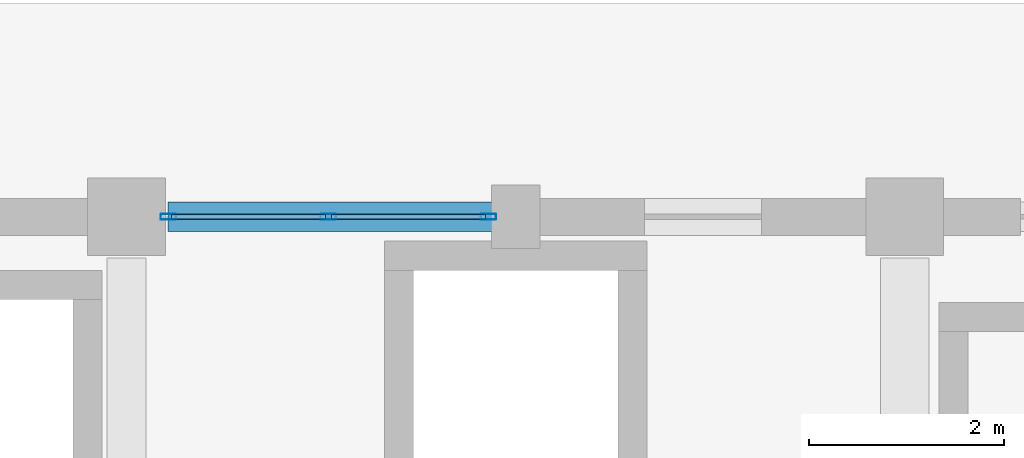
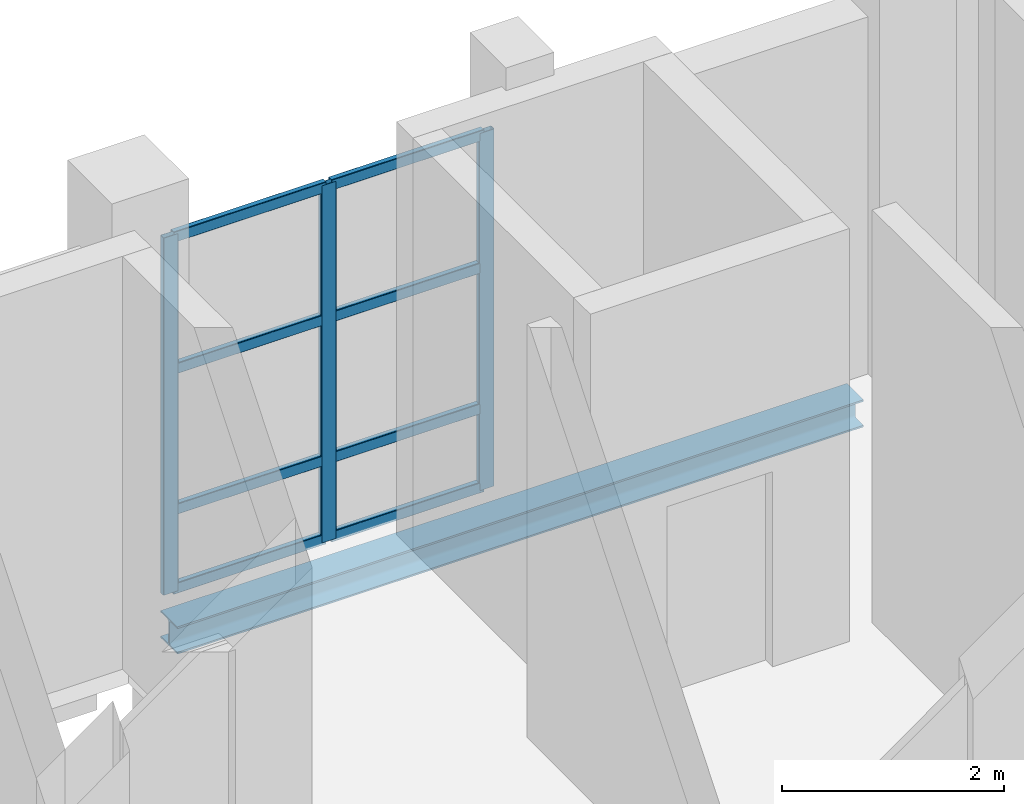
# One storey, part 100 of 156: 11 members, 1 beam, 1 element without a shape of its own.
"""IFC4 building model written with IfcOpenShell, lengths in metres."""

from ifc_helpers import new_model, si_unit, direction, frame, origin, origin_2d, place, context, subcontext, project, spatial, hollow_rectangle, i_section, extrude, material, material_profile, profile_set, type_object, element, aggregate, save


model = new_model("IFC4")

# Units and contexts
model_context = context("Model", 3, precision=1e-05, world=origin(), true_north=direction((0.0, 1.0)))
body_context = subcontext(model_context, "Body", "Model", "MODEL_VIEW")
ifc_project = project(units=[si_unit("LENGTHUNIT", "METRE"), si_unit("AREAUNIT", "SQUARE_METRE"), si_unit("VOLUMEUNIT", "CUBIC_METRE"), si_unit("PLANEANGLEUNIT", "RADIAN"), si_unit("MASSUNIT", "GRAM", prefix="KILO")], contexts=[model_context])

# Site, building, storey
site_placement = place(None, origin())
site = spatial("IfcSite", under=ifc_project, at=site_placement, CompositionType="ELEMENT")
building_placement = place(site_placement, origin())
building = spatial("IfcBuilding", under=site, at=building_placement, Name="Luwemba Playhouse", CompositionType="ELEMENT")
storey_placement = place(building_placement, origin())
storey = spatial("IfcBuildingStorey", under=building, at=storey_placement, Name="L00", CompositionType="ELEMENT", Elevation=0.0)

# Beam
ifc_material_1 = material(Name="Steel S355", Category="steel")
ifc_material_profile_1 = material_profile(ifc_material_1, i_section(OverallWidth=0.300048828125, OverallDepth=0.300048828125, WebThickness=0.010986328125, FlangeThickness=0.01904296875, FilletRadius=0.027099609375, at=origin_2d()))
ifc_profile_set_1 = profile_set([ifc_material_profile_1], Name="Steel S355")
beam_type = type_object("IfcBeamType", Name="BM-SSP1", PredefinedType="SPANDREL", material=ifc_profile_set_1)
beam_placement = place(storey_placement, frame((156.425048828125, 115.0, -0.449951171875), z_axis=(1.0, 0.0, 0.0), x_axis=(0.0, 1.0, 0.0)))
element("IfcBeam", 1, at=beam_placement, inside=storey, type_object=beam_type, Name="L00 grid girder 0319", PredefinedType="SPANDREL", context=body_context, shape_type="SweptSolid", body=[
    extrude(i_section(OverallWidth=0.300048828125, OverallDepth=0.300048828125, WebThickness=0.010986328125, FlangeThickness=0.01904296875, FilletRadius=0.027099609375, at=origin_2d()), origin(), (0.0, 0.0, 1.0), 7.14990234375),
])

# Curtain wall, members
ifc_material_2 = material(Name="Solar-control double glazing", Category="glass")
curtain_wall_type = type_object("IfcCurtainWallType", Name="CW-CW68", PredefinedType="USERDEFINED", material=ifc_material_2)
curtain_wall_placement = place(storey_placement, origin())
curtain_wall = element("IfcCurtainWall", 2, at=curtain_wall_placement, inside=storey, type_object=curtain_wall_type, Name="L00 V6E unitised curtain wall 087", ObjectType="UNITISED GLAZING", PredefinedType="USERDEFINED")
ifc_material_3 = material(Name="Aluminium 6063-T6", Category="aluminium")
ifc_material_profile_2 = material_profile(ifc_material_3, hollow_rectangle(XDim=0.06005859375, YDim=0.159912109375, WallThickness=0.00390625, InnerFilletRadius=0.006103515625, OuterFilletRadius=0.010009765625, at=origin_2d()))
ifc_profile_set_2 = profile_set([ifc_material_profile_2], Name="Aluminium 6063-T6")
member_type_1 = type_object("IfcMemberType", Name="CWM-M1", PredefinedType="MULLION", material=ifc_profile_set_2)
member_1_placement = place(storey_placement, frame((156.429931640625, 115.0, 0.0), z_axis=(0.0, 0.0, 1.0), x_axis=(0.0, 1.0, 0.0)))
member_1 = element("IfcMember", 3, at=member_1_placement, type_object=member_type_1, Name="CW68 mullion 1", PredefinedType="MULLION", context=body_context, shape_type="SweptSolid", body=[
    extrude(hollow_rectangle(XDim=0.06005859375, YDim=0.159912109375, WallThickness=0.00390625, InnerFilletRadius=0.006103515625, OuterFilletRadius=0.010009765625, at=origin_2d()), origin(), (0.0, 0.0, 1.0), 3.93505859375),
])
member_2_placement = place(storey_placement, frame((158.074951171875, 115.0, 0.0), z_axis=(0.0, 0.0, 1.0), x_axis=(0.0, 1.0, 0.0)))
member_2 = element("IfcMember", 4, at=member_2_placement, type_object=member_type_1, Name="CW68 mullion 2", PredefinedType="MULLION", context=body_context, shape_type="SweptSolid", body=[
    extrude(hollow_rectangle(XDim=0.06005859375, YDim=0.159912109375, WallThickness=0.00390625, InnerFilletRadius=0.006103515625, OuterFilletRadius=0.010009765625, at=origin_2d()), origin(), (0.0, 0.0, 1.0), 3.93505859375),
])
member_3_placement = place(storey_placement, frame((159.719970703125, 115.0, 0.0), z_axis=(0.0, 0.0, 1.0), x_axis=(0.0, 1.0, 0.0)))
member_3 = element("IfcMember", 5, at=member_3_placement, type_object=member_type_1, Name="CW68 mullion 3", PredefinedType="MULLION", context=body_context, shape_type="SweptSolid", body=[
    extrude(hollow_rectangle(XDim=0.06005859375, YDim=0.159912109375, WallThickness=0.00390625, InnerFilletRadius=0.006103515625, OuterFilletRadius=0.010009765625, at=origin_2d()), origin(), (0.0, 0.0, 1.0), 3.93505859375),
])
ifc_material_profile_3 = material_profile(ifc_material_3, hollow_rectangle(XDim=0.06005859375, YDim=0.1201171875, WallThickness=0.00390625, InnerFilletRadius=0.006103515625, OuterFilletRadius=0.010009765625, at=origin_2d()))
ifc_profile_set_3 = profile_set([ifc_material_profile_3], Name="Aluminium 6063-T6")
member_type_2 = type_object("IfcMemberType", Name="CWT-T1", PredefinedType="USERDEFINED", material=ifc_profile_set_3)
member_4_placement = place(storey_placement, frame((156.4599609375, 115.0, 0.030029296875), z_axis=(1.0, 0.0, 0.0), x_axis=(0.0, 1.0, 0.0)))
member_4 = element("IfcMember", 6, at=member_4_placement, type_object=member_type_2, Name="CW68 transom 1.1", ObjectType="TRANSOM", PredefinedType="USERDEFINED", context=body_context, shape_type="SweptSolid", body=[
    extrude(hollow_rectangle(XDim=0.06005859375, YDim=0.1201171875, WallThickness=0.00390625, InnerFilletRadius=0.006103515625, OuterFilletRadius=0.010009765625, at=origin_2d()), origin(), (0.0, 0.0, 1.0), 1.5849609375),
])
member_5_placement = place(storey_placement, frame((156.4599609375, 115.0, 0.89990234375), z_axis=(1.0, 0.0, 0.0), x_axis=(0.0, 1.0, 0.0)))
member_5 = element("IfcMember", 7, at=member_5_placement, type_object=member_type_2, Name="CW68 transom 1.2", ObjectType="TRANSOM", PredefinedType="USERDEFINED", context=body_context, shape_type="SweptSolid", body=[
    extrude(hollow_rectangle(XDim=0.06005859375, YDim=0.1201171875, WallThickness=0.00390625, InnerFilletRadius=0.006103515625, OuterFilletRadius=0.010009765625, at=origin_2d()), origin(), (0.0, 0.0, 1.0), 1.5849609375),
])
member_6_placement = place(storey_placement, frame((156.4599609375, 115.0, 2.449951171875), z_axis=(1.0, 0.0, 0.0), x_axis=(0.0, 1.0, 0.0)))
member_6 = element("IfcMember", 8, at=member_6_placement, type_object=member_type_2, Name="CW68 transom 1.3", ObjectType="TRANSOM", PredefinedType="USERDEFINED", context=body_context, shape_type="SweptSolid", body=[
    extrude(hollow_rectangle(XDim=0.06005859375, YDim=0.1201171875, WallThickness=0.00390625, InnerFilletRadius=0.006103515625, OuterFilletRadius=0.010009765625, at=origin_2d()), origin(), (0.0, 0.0, 1.0), 1.5849609375),
])
member_7_placement = place(storey_placement, frame((156.4599609375, 115.0, 3.905029296875), z_axis=(1.0, 0.0, 0.0), x_axis=(0.0, 1.0, 0.0)))
member_7 = element("IfcMember", 9, at=member_7_placement, type_object=member_type_2, Name="CW68 transom 1.4", ObjectType="TRANSOM", PredefinedType="USERDEFINED", context=body_context, shape_type="SweptSolid", body=[
    extrude(hollow_rectangle(XDim=0.06005859375, YDim=0.1201171875, WallThickness=0.00390625, InnerFilletRadius=0.006103515625, OuterFilletRadius=0.010009765625, at=origin_2d()), origin(), (0.0, 0.0, 1.0), 1.5849609375),
])
member_8_placement = place(storey_placement, frame((158.10498046875, 115.0, 0.030029296875), z_axis=(1.0, 0.0, 0.0), x_axis=(0.0, 1.0, 0.0)))
member_8 = element("IfcMember", 10, at=member_8_placement, type_object=member_type_2, Name="CW68 transom 2.1", ObjectType="TRANSOM", PredefinedType="USERDEFINED", context=body_context, shape_type="SweptSolid", body=[
    extrude(hollow_rectangle(XDim=0.06005859375, YDim=0.1201171875, WallThickness=0.00390625, InnerFilletRadius=0.006103515625, OuterFilletRadius=0.010009765625, at=origin_2d()), origin(), (0.0, 0.0, 1.0), 1.5849609375),
])
member_9_placement = place(storey_placement, frame((158.10498046875, 115.0, 0.89990234375), z_axis=(1.0, 0.0, 0.0), x_axis=(0.0, 1.0, 0.0)))
member_9 = element("IfcMember", 11, at=member_9_placement, type_object=member_type_2, Name="CW68 transom 2.2", ObjectType="TRANSOM", PredefinedType="USERDEFINED", context=body_context, shape_type="SweptSolid", body=[
    extrude(hollow_rectangle(XDim=0.06005859375, YDim=0.1201171875, WallThickness=0.00390625, InnerFilletRadius=0.006103515625, OuterFilletRadius=0.010009765625, at=origin_2d()), origin(), (0.0, 0.0, 1.0), 1.5849609375),
])
member_10_placement = place(storey_placement, frame((158.10498046875, 115.0, 2.449951171875), z_axis=(1.0, 0.0, 0.0), x_axis=(0.0, 1.0, 0.0)))
member_10 = element("IfcMember", 12, at=member_10_placement, type_object=member_type_2, Name="CW68 transom 2.3", ObjectType="TRANSOM", PredefinedType="USERDEFINED", context=body_context, shape_type="SweptSolid", body=[
    extrude(hollow_rectangle(XDim=0.06005859375, YDim=0.1201171875, WallThickness=0.00390625, InnerFilletRadius=0.006103515625, OuterFilletRadius=0.010009765625, at=origin_2d()), origin(), (0.0, 0.0, 1.0), 1.5849609375),
])
member_11_placement = place(storey_placement, frame((158.10498046875, 115.0, 3.905029296875), z_axis=(1.0, 0.0, 0.0), x_axis=(0.0, 1.0, 0.0)))
member_11 = element("IfcMember", 13, at=member_11_placement, type_object=member_type_2, Name="CW68 transom 2.4", ObjectType="TRANSOM", PredefinedType="USERDEFINED", context=body_context, shape_type="SweptSolid", body=[
    extrude(hollow_rectangle(XDim=0.06005859375, YDim=0.1201171875, WallThickness=0.00390625, InnerFilletRadius=0.006103515625, OuterFilletRadius=0.010009765625, at=origin_2d()), origin(), (0.0, 0.0, 1.0), 1.5849609375),
])
aggregate(curtain_wall, [member_1, member_2, member_3, member_4, member_5, member_6, member_7, member_8, member_9, member_10, member_11])

save(model, "model.ifc")
